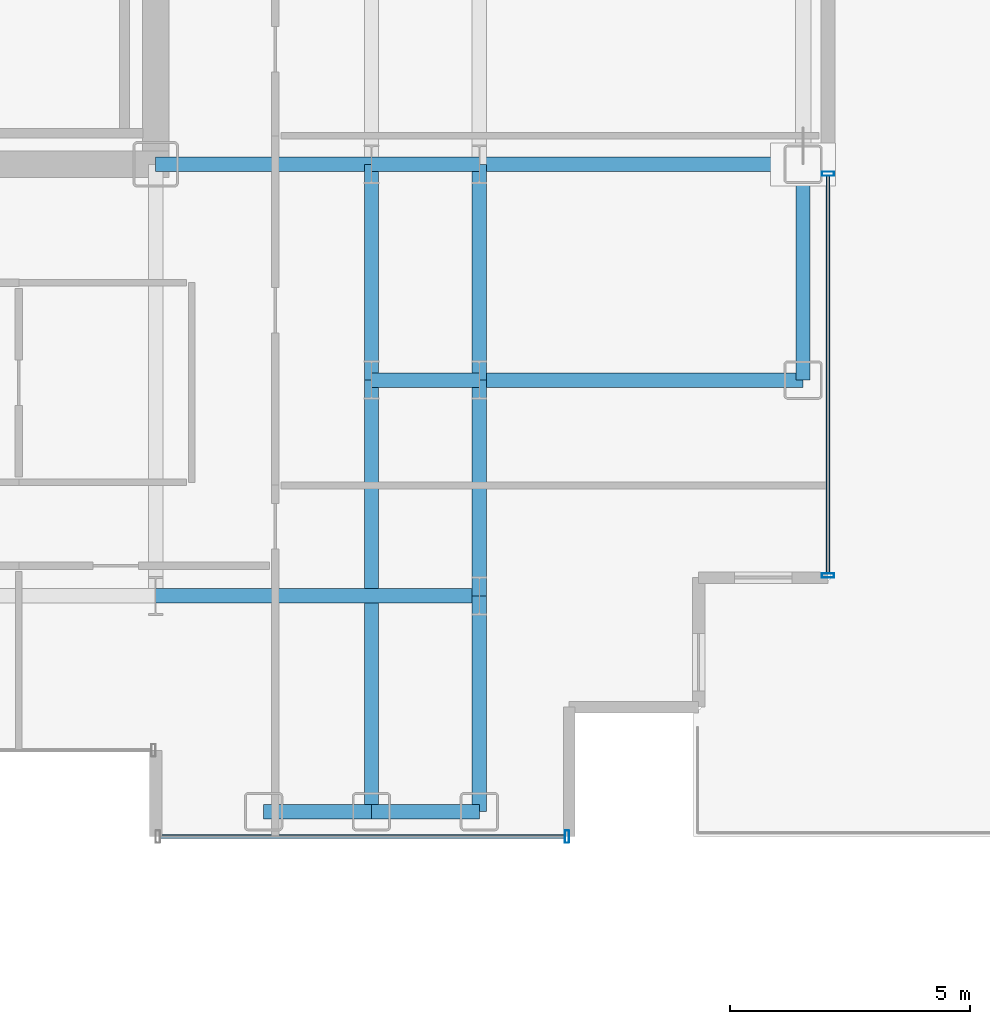
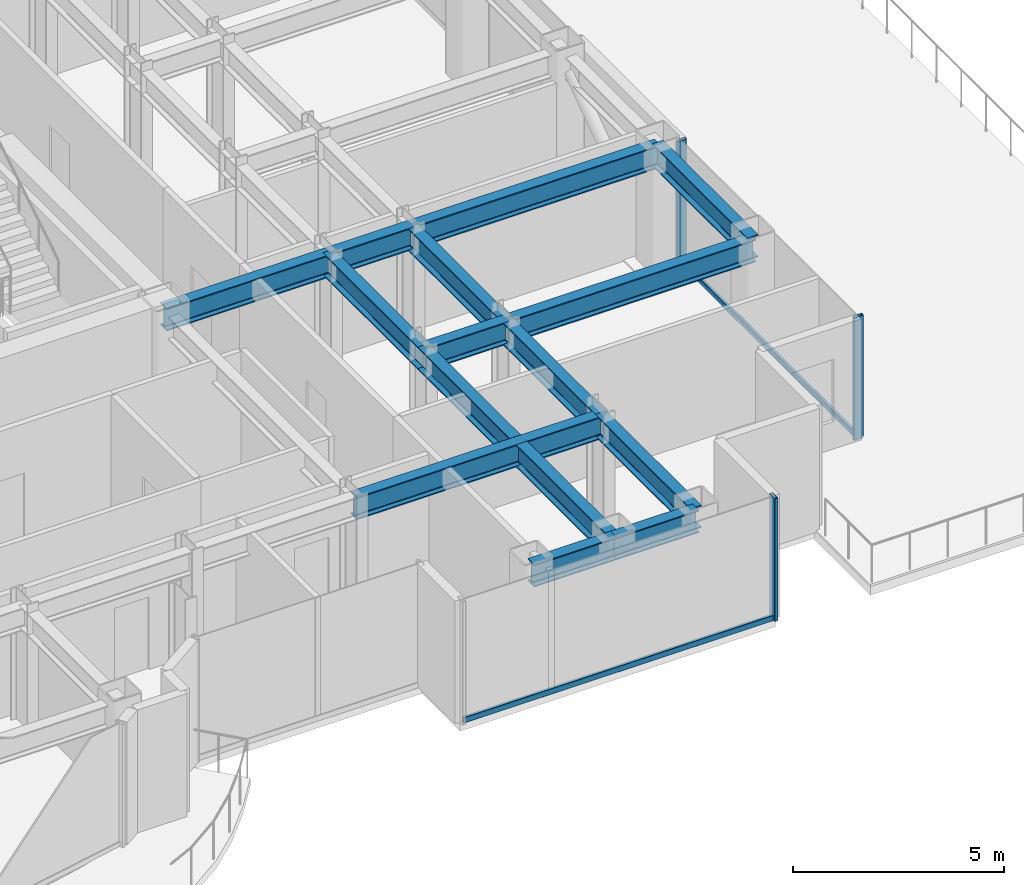
# One storey, part 10 of 27: 14 beams, 5 members, 2 elements without a shape of their own.
"""IFC4 building model written with IfcOpenShell, lengths in metres."""

from ifc_helpers import new_model, si_unit, direction, frame, origin, origin_2d, place, context, subcontext, project, spatial, hollow_rectangle, i_section, extrude, source, transform, mapped, material, layer, layer_set, material_profile, profile_set, type_object, element, aggregate, save


model = new_model("IFC4")

# Units and contexts
model_context = context("Model", 3, precision=1e-05, world=origin(), true_north=direction((0.0, 1.0)))
body_context = subcontext(model_context, "Body", "Model", "MODEL_VIEW")
ifc_project = project(units=[si_unit("LENGTHUNIT", "METRE"), si_unit("AREAUNIT", "SQUARE_METRE"), si_unit("VOLUMEUNIT", "CUBIC_METRE"), si_unit("PLANEANGLEUNIT", "RADIAN"), si_unit("MASSUNIT", "GRAM", prefix="KILO")], contexts=[model_context])

# Site, building, storey
site_placement = place(None, origin())
site = spatial("IfcSite", under=ifc_project, at=site_placement, CompositionType="ELEMENT")
building_placement = place(site_placement, origin())
building = spatial("IfcBuilding", under=site, at=building_placement, Name="Nefas-Gora Pilgrimage Tower", CompositionType="ELEMENT")
storey_placement = place(building_placement, frame((0.0, 0.0, 148.800048828125)))
storey = spatial("IfcBuildingStorey", under=building, at=storey_placement, Name="L36", CompositionType="ELEMENT", Elevation=148.800048828125)

# Beams
ifc_material_1 = material(Name="Steel S355", Category="steel")
ifc_material_profile_1 = material_profile(ifc_material_1, i_section(OverallWidth=0.300048828125, OverallDepth=0.64990234375, WebThickness=0.01611328125, FlangeThickness=0.031005859375, FilletRadius=0.027099609375, at=origin_2d()), Name="HEB 650")
ifc_profile_set_1 = profile_set([ifc_material_profile_1], Name="Steel S355")
beam_type_1 = type_object("IfcBeamType", Name="BM-SPN-HEB500", PredefinedType="SPANDREL", material=ifc_profile_set_1)
shared_shape_1 = source(origin(), body_context, "Body", "SweptSolid", [
    extrude(i_section(OverallWidth=0.300048828125, OverallDepth=0.64990234375, WebThickness=0.01611328125, FlangeThickness=0.031005859375, FilletRadius=0.027099609375, at=origin_2d()), origin(), (0.0, 0.0, 1.0), 4.5),
])
beam_1_placement = place(storey_placement, frame((24.75, -13.5, 3.224853515625), z_axis=(0.0, 1.0, 0.0), x_axis=(-1.0, 0.0, 0.0)))
element("IfcBeam", 1, at=beam_1_placement, inside=storey, type_object=beam_type_1, Name="L36 SP-02 beam", PredefinedType="SPANDREL", context=body_context, shape_type="MappedRepresentation", body=[
    mapped(shared_shape_1, transform((0.0, 0.0, 0.0), x_axis=(1.0, 0.0, 0.0), y_axis=(0.0, 1.0, 0.0), z_axis=(0.0, 0.0, 1.0), scale=1.0)),
])
ifc_material_profile_2 = material_profile(ifc_material_1, i_section(OverallWidth=0.300048828125, OverallDepth=0.64990234375, WebThickness=0.01611328125, FlangeThickness=0.031005859375, FilletRadius=0.027099609375, at=origin_2d()), Name="HEB 650")
ifc_profile_set_2 = profile_set([ifc_material_profile_2], Name="Steel S355")
beam_type_2 = type_object("IfcBeamType", Name="BM-GIR-HEB650", PredefinedType="BEAM", material=ifc_profile_set_2)
shared_shape_2 = source(origin(), body_context, "Body", "SweptSolid", [
    extrude(i_section(OverallWidth=0.300048828125, OverallDepth=0.64990234375, WebThickness=0.01611328125, FlangeThickness=0.031005859375, FilletRadius=0.027099609375, at=origin_2d()), origin(), (0.0, 0.0, 1.0), 9.0),
])
beam_2_placement = place(storey_placement, frame((15.75, -22.5, 3.224853515625), z_axis=(0.0, 1.0, 0.0), x_axis=(-1.0, 0.0, 0.0)))
element("IfcBeam", 2, at=beam_2_placement, inside=storey, type_object=beam_type_2, Name="L36 G-03 beam", PredefinedType="BEAM", context=body_context, shape_type="MappedRepresentation", body=[
    mapped(shared_shape_2, transform((0.0, 0.0, 0.0), x_axis=(1.0, 0.0, 0.0), y_axis=(0.0, 1.0, 0.0), z_axis=(0.0, 0.0, 1.0), scale=1.0)),
])
shared_shape_3 = source(origin(), body_context, "Body", "SweptSolid", [
    extrude(i_section(OverallWidth=0.300048828125, OverallDepth=0.64990234375, WebThickness=0.01611328125, FlangeThickness=0.031005859375, FilletRadius=0.027099609375, at=origin_2d()), origin(), (0.0, 0.0, 1.0), 4.5),
])
for number, where, z_axis, x_axis, name in (
    (3, (11.25, -9.0, 3.224853515625), (1.0, 0.0, 0.0), (0.0, 1.0, 0.0), "L36 G-03 beam"),
    (4, (15.75, -13.5, 3.224853515625), (0.0, 1.0, 0.0), (-1.0, 0.0, 0.0), "L36 G-03 beam"),
    (5, (18.0, -22.5, 3.224853515625), (0.0, 1.0, 0.0), (-1.0, 0.0, 0.0), "L36 G-03 beam"),
    (6, (18.0, -18.0, 3.224853515625), (0.0, 1.0, 0.0), (-1.0, 0.0, 0.0), "L36 G-03 beam"),
    (7, (18.0, -13.5, 3.224853515625), (0.0, 1.0, 0.0), (-1.0, 0.0, 0.0), "L36 G-03 beam"),
):
    element("IfcBeam", number, at=place(storey_placement, frame(where, z_axis=z_axis, x_axis=x_axis)), inside=storey, type_object=beam_type_2, Name=name, PredefinedType="BEAM", context=body_context, shape_type="MappedRepresentation", body=[
        mapped(shared_shape_3, transform((0.0, 0.0, 0.0), x_axis=(1.0, 0.0, 0.0), y_axis=(0.0, 1.0, 0.0), z_axis=(0.0, 0.0, 1.0), scale=1.0)),
    ])
shared_shape_4 = source(origin(), body_context, "Body", "SweptSolid", [
    extrude(i_section(OverallWidth=0.300048828125, OverallDepth=0.64990234375, WebThickness=0.01611328125, FlangeThickness=0.031005859375, FilletRadius=0.027099609375, at=origin_2d()), origin(), (0.0, 0.0, 1.0), 6.75),
])
for number, where, z_axis, x_axis, name in (
    (8, (11.25, -18.0, 3.224853515625), (1.0, 0.0, 0.0), (0.0, 1.0, 0.0), "L36 G-03 beam"),
    (9, (18.0, -13.5, 3.224853515625), (1.0, 0.0, 0.0), (0.0, 1.0, 0.0), "L36 G-03 beam"),
    (10, (18.0, -9.0, 3.224853515625), (1.0, 0.0, 0.0), (0.0, 1.0, 0.0), "L36 G-03 beam"),
):
    element("IfcBeam", number, at=place(storey_placement, frame(where, z_axis=z_axis, x_axis=x_axis)), inside=storey, type_object=beam_type_2, Name=name, PredefinedType="BEAM", context=body_context, shape_type="MappedRepresentation", body=[
        mapped(shared_shape_4, transform((0.0, 0.0, 0.0), x_axis=(1.0, 0.0, 0.0), y_axis=(0.0, 1.0, 0.0), z_axis=(0.0, 0.0, 1.0), scale=1.0)),
    ])
shared_shape_5 = source(origin(), body_context, "Body", "SweptSolid", [
    extrude(i_section(OverallWidth=0.300048828125, OverallDepth=0.64990234375, WebThickness=0.01611328125, FlangeThickness=0.031005859375, FilletRadius=0.027099609375, at=origin_2d()), origin(), (0.0, 0.0, 1.0), 2.25),
])
for number, where, z_axis, x_axis, name in (
    (11, (13.5, -22.5, 3.224853515625), (1.0, 0.0, 0.0), (0.0, 1.0, 0.0), "L36 SP-02 beam"),
    (12, (15.75, -22.5, 3.224853515625), (1.0, 0.0, 0.0), (0.0, 1.0, 0.0), "L36 SP-02 beam"),
):
    element("IfcBeam", number, at=place(storey_placement, frame(where, z_axis=z_axis, x_axis=x_axis)), inside=storey, type_object=beam_type_1, Name=name, PredefinedType="SPANDREL", context=body_context, shape_type="MappedRepresentation", body=[
        mapped(shared_shape_5, transform((0.0, 0.0, 0.0), x_axis=(1.0, 0.0, 0.0), y_axis=(0.0, 1.0, 0.0), z_axis=(0.0, 0.0, 1.0), scale=1.0)),
    ])
shared_shape_6 = source(origin(), body_context, "Body", "SweptSolid", [
    extrude(i_section(OverallWidth=0.300048828125, OverallDepth=0.64990234375, WebThickness=0.01611328125, FlangeThickness=0.031005859375, FilletRadius=0.027099609375, at=origin_2d()), origin(), (0.0, 0.0, 1.0), 2.25),
])
for number, where, z_axis, x_axis, name in (
    (13, (15.75, -13.5, 3.224853515625), (1.0, 0.0, 0.0), (0.0, 1.0, 0.0), "L36 G-03 beam"),
    (14, (15.75, -9.0, 3.224853515625), (1.0, 0.0, 0.0), (0.0, 1.0, 0.0), "L36 G-03 beam"),
):
    element("IfcBeam", number, at=place(storey_placement, frame(where, z_axis=z_axis, x_axis=x_axis)), inside=storey, type_object=beam_type_2, Name=name, PredefinedType="BEAM", context=body_context, shape_type="MappedRepresentation", body=[
        mapped(shared_shape_6, transform((0.0, 0.0, 0.0), x_axis=(1.0, 0.0, 0.0), y_axis=(0.0, 1.0, 0.0), z_axis=(0.0, 0.0, 1.0), scale=1.0)),
    ])

# Curtain wall, member
ifc_material_2 = material(Name="Dark ceramic-fritted solar-control aluminium-glass curtain wall", Category="aluminium")
ifc_layer = layer(ifc_material_2, 0.219970703125)
ifc_layer_set = layer_set([ifc_layer], Name="Dark ceramic-fritted solar-control aluminium-glass curtain wall")
curtain_wall_type = type_object("IfcCurtainWallType", Name="CW-SYS-3", PredefinedType="NOTDEFINED", material=ifc_layer_set)
curtain_wall_1_placement = place(storey_placement, origin())
curtain_wall_1 = element("IfcCurtainWall", 15, at=curtain_wall_1_placement, inside=storey, type_object=curtain_wall_type, Name="L36 Unitised Curtain Wall CW3", PredefinedType="NOTDEFINED")
ifc_material_3 = material(Name="Anodised architectural aluminium", Category="aluminium")
ifc_material_profile_3 = material_profile(ifc_material_3, hollow_rectangle(XDim=0.090087890625, YDim=0.260009765625, WallThickness=0.006103515625, InnerFilletRadius=0.006103515625, OuterFilletRadius=0.011962890625, at=origin_2d()), Name="ALU MULLION 90x260")
ifc_profile_set_3 = profile_set([ifc_material_profile_3], Name="Anodised architectural aluminium")
member_type_1 = type_object("IfcMemberType", Name="CWM-MUL-3", PredefinedType="MULLION", material=ifc_profile_set_3)
shared_shape_7 = source(origin(), body_context, "Body", "SweptSolid", [
    extrude(hollow_rectangle(XDim=0.090087890625, YDim=0.260009765625, WallThickness=0.006103515625, InnerFilletRadius=0.006103515625, OuterFilletRadius=0.011962890625, at=origin_2d()), origin(), (0.0, 0.0, 1.0), 3.550048828125),
])
member_1_placement = place(storey_placement, frame((19.824951171875, -23.02001953125, 0.0), z_axis=(0.0, 0.0, 1.0), x_axis=(1.0, 0.0, 0.0)))
member_1 = element("IfcMember", 16, at=member_1_placement, type_object=member_type_1, Name="CW3 Mullion 2", PredefinedType="MULLION", context=body_context, shape_type="MappedRepresentation", body=[
    mapped(shared_shape_7, transform((0.0, 0.0, 0.0), x_axis=(1.0, 0.0, 0.0), y_axis=(0.0, 1.0, 0.0), z_axis=(0.0, 0.0, 1.0), scale=1.0)),
])

# Curtain wall, members
curtain_wall_2_placement = place(storey_placement, origin())
curtain_wall_2 = element("IfcCurtainWall", 17, at=curtain_wall_2_placement, inside=storey, type_object=curtain_wall_type, Name="L36 Unitised Curtain Wall CW3", PredefinedType="NOTDEFINED")
member_2_placement = place(storey_placement, frame((25.27001953125, -17.574951171875, 0.0), z_axis=(0.0, 0.0, 1.0), x_axis=(0.0, 1.0, 0.0)))
member_2 = element("IfcMember", 18, at=member_2_placement, type_object=member_type_1, Name="CW3 Mullion 1", PredefinedType="MULLION", context=body_context, shape_type="MappedRepresentation", body=[
    mapped(shared_shape_7, transform((0.0, 0.0, 0.0), x_axis=(1.0, 0.0, 0.0), y_axis=(0.0, 1.0, 0.0), z_axis=(0.0, 0.0, 1.0), scale=1.0)),
])
member_3_placement = place(storey_placement, frame((25.27001953125, -9.195068359375, 0.0), z_axis=(0.0, 0.0, 1.0), x_axis=(0.0, 1.0, 0.0)))
member_3 = element("IfcMember", 19, at=member_3_placement, type_object=member_type_1, Name="CW3 Mullion 2", PredefinedType="MULLION", context=body_context, shape_type="MappedRepresentation", body=[
    mapped(shared_shape_7, transform((0.0, 0.0, 0.0), x_axis=(1.0, 0.0, 0.0), y_axis=(0.0, 1.0, 0.0), z_axis=(0.0, 0.0, 1.0), scale=1.0)),
])

# Member
ifc_material_profile_4 = material_profile(ifc_material_3, hollow_rectangle(XDim=0.080078125, YDim=0.159912109375, WallThickness=0.00439453125, InnerFilletRadius=0.00439453125, OuterFilletRadius=0.009033203125, at=origin_2d()), Name="ALU TRANSOM 80x160")
ifc_profile_set_4 = profile_set([ifc_material_profile_4], Name="Anodised architectural aluminium")
member_type_2 = type_object("IfcMemberType", Name="CWM-TRN-3", PredefinedType="USERDEFINED", material=ifc_profile_set_4)
shared_shape_8 = source(origin(), body_context, "Body", "SweptSolid", [
    extrude(hollow_rectangle(XDim=0.080078125, YDim=0.159912109375, WallThickness=0.00439453125, InnerFilletRadius=0.00439453125, OuterFilletRadius=0.009033203125, at=origin_2d()), origin(), (0.0, 0.0, 1.0), 8.43994140625),
])
member_4_placement = place(storey_placement, frame((11.340087890625, -23.02001953125, 0.050048828125), z_axis=(1.0, 0.0, 0.0), x_axis=(0.0, 1.0, 0.0)))
member_4 = element("IfcMember", 20, at=member_4_placement, type_object=member_type_2, Name="CW3 Spandrel Transom", ObjectType="TRANSOM", PredefinedType="USERDEFINED", context=body_context, shape_type="MappedRepresentation", body=[
    mapped(shared_shape_8, transform((0.0, 0.0, 0.0), x_axis=(1.0, 0.0, 0.0), y_axis=(0.0, 1.0, 0.0), z_axis=(0.0, 0.0, 1.0), scale=1.0)),
])

aggregate(curtain_wall_1, [member_1, member_4])

shared_shape_9 = source(origin(), body_context, "Body", "SweptSolid", [
    extrude(hollow_rectangle(XDim=0.080078125, YDim=0.159912109375, WallThickness=0.00439453125, InnerFilletRadius=0.00439453125, OuterFilletRadius=0.009033203125, at=origin_2d()), origin(), (0.0, 0.0, 1.0), 8.2900390625),
])
member_5_placement = place(storey_placement, frame((25.27001953125, -17.530029296875, 0.050048828125), z_axis=(0.0, 1.0, 0.0), x_axis=(-1.0, 0.0, 0.0)))
member_5 = element("IfcMember", 21, at=member_5_placement, type_object=member_type_2, Name="CW3 Spandrel Transom", ObjectType="TRANSOM", PredefinedType="USERDEFINED", context=body_context, shape_type="MappedRepresentation", body=[
    mapped(shared_shape_9, transform((0.0, 0.0, 0.0), x_axis=(1.0, 0.0, 0.0), y_axis=(0.0, 1.0, 0.0), z_axis=(0.0, 0.0, 1.0), scale=1.0)),
])

aggregate(curtain_wall_2, [member_2, member_3, member_5])

save(model, "model.ifc")
